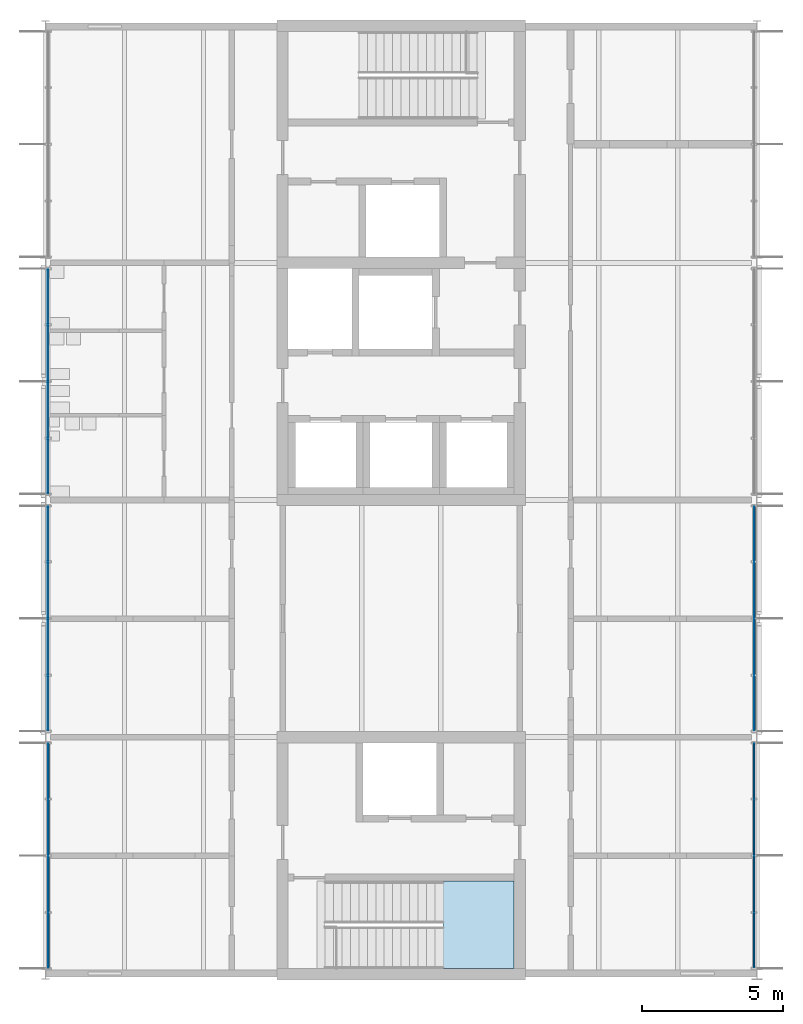
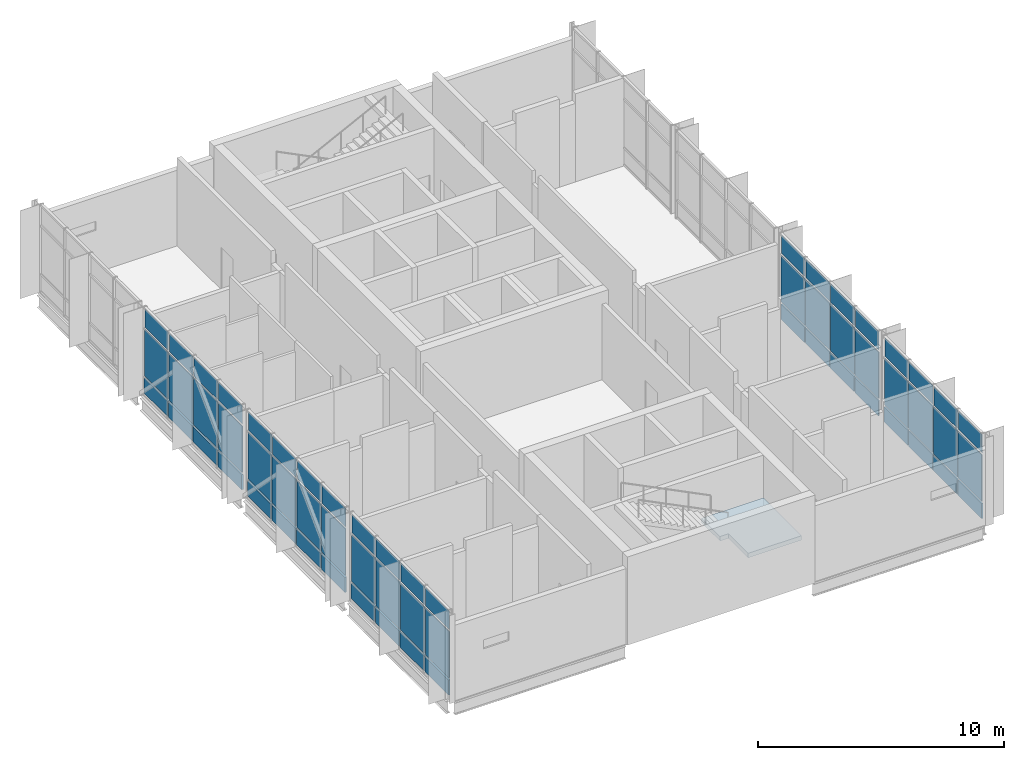
# One storey, part 6 of 15: 60 plates, 1 slab, 6 elements without a shape of their own.
"""IFC4 building model written with IfcOpenShell, lengths in metres."""

from ifc_helpers import new_model, si_unit, direction, frame, origin, origin_2d, place, context, subcontext, project, spatial, polyline, rectangle, outline, extrude, material, layer, layer_set, type_object, element, aggregate, save


model = new_model("IFC4")

# Units and contexts
model_context = context("Model", 3, precision=1e-05, world=origin(), true_north=direction((0.0, 1.0)))
body_context = subcontext(model_context, "Body", "Model", "MODEL_VIEW")
ifc_project = project(units=[si_unit("LENGTHUNIT", "METRE"), si_unit("AREAUNIT", "SQUARE_METRE"), si_unit("VOLUMEUNIT", "CUBIC_METRE"), si_unit("PLANEANGLEUNIT", "RADIAN"), si_unit("MASSUNIT", "GRAM", prefix="KILO")], contexts=[model_context])

# Site, building, storey
site_placement = place(None, origin())
site = spatial("IfcSite", under=ifc_project, at=site_placement, CompositionType="ELEMENT")
building_placement = place(site_placement, origin())
building = spatial("IfcBuilding", under=site, at=building_placement, Name="Hlaing Beacon Police Headquarters", CompositionType="ELEMENT")
storey_placement = place(building_placement, frame((0.0, 0.0, 32.39990234375)))
storey = spatial("IfcBuildingStorey", under=building, at=storey_placement, Name="L07", CompositionType="ELEMENT", Elevation=32.39990234375)

# Curtain wall, plates
ifc_material_1 = material(Name="Aluminium frame with solar control glazing", Category="aluminium")
curtain_wall_type = type_object("IfcCurtainWallType", Name="Unitised curtain wall 8.04 x 4.37", PredefinedType="NOTDEFINED", material=ifc_material_1)
curtain_wall_1_placement = place(storey_placement, origin())
curtain_wall_1 = element("IfcCurtainWall", 1, at=curtain_wall_1_placement, inside=storey, type_object=curtain_wall_type, Name="ENV-CW-L07-E001", PredefinedType="NOTDEFINED")
ifc_material_2 = material(Name="Solar control glazing", Category="glass")
ifc_layer_1 = layer(ifc_material_2, 0.0439453125)
ifc_layer_set_1 = layer_set([ifc_layer_1], Name="Solar control glazing")
plate_type_1 = type_object("IfcPlateType", Name="Clear glazing panel 44", PredefinedType="CURTAIN_PANEL", material=ifc_layer_set_1)
plate_1_placement = place(storey_placement, frame((125.89990234375, 36.797607421875, 0.9501953125), z_axis=(0.0, 0.0, 1.0), x_axis=(0.0, 1.0, 0.0)))
plate_1 = element("IfcPlate", 2, at=plate_1_placement, type_object=plate_type_1, Name="CW-L07-E001 panel 2.2", PredefinedType="CURTAIN_PANEL", context=body_context, shape_type="SweptSolid", body=[
    extrude(rectangle(XDim=1.948974609375, YDim=0.0439453125, at=origin_2d()), origin(), (0.0, 0.0, 1.0), 2.300048828125),
])
plate_2_placement = place(storey_placement, frame((125.89990234375, 40.80029296875, 0.9501953125), z_axis=(0.0, 0.0, 1.0), x_axis=(0.0, 1.0, 0.0)))
plate_2 = element("IfcPlate", 3, at=plate_2_placement, type_object=plate_type_1, Name="CW-L07-E001 panel 4.2", PredefinedType="CURTAIN_PANEL", context=body_context, shape_type="SweptSolid", body=[
    extrude(rectangle(XDim=1.9189453125, YDim=0.0439453125, at=origin_2d()), origin(), (0.0, 0.0, 1.0), 2.300048828125),
])

curtain_wall_2_placement = place(storey_placement, origin())
curtain_wall_2 = element("IfcCurtainWall", 4, at=curtain_wall_2_placement, inside=storey, type_object=curtain_wall_type, Name="ENV-CW-L07-E002", PredefinedType="NOTDEFINED")
plate_3_placement = place(storey_placement, frame((125.909912109375, 45.195068359375, 0.9501953125), z_axis=(0.0, 0.0, 1.0), x_axis=(0.0, 1.0, 0.0)))
plate_3 = element("IfcPlate", 5, at=plate_3_placement, type_object=plate_type_1, Name="CW-L07-E002 panel 2.2", PredefinedType="CURTAIN_PANEL", context=body_context, shape_type="SweptSolid", body=[
    extrude(rectangle(XDim=1.949951171875, YDim=0.0439453125, at=origin_2d()), origin(), (0.0, 0.0, 1.0), 2.300048828125),
])
plate_4_placement = place(storey_placement, frame((125.909912109375, 49.19970703125, 0.9501953125), z_axis=(0.0, 0.0, 1.0), x_axis=(0.0, 1.0, 0.0)))
plate_4 = element("IfcPlate", 6, at=plate_4_placement, type_object=plate_type_1, Name="CW-L07-E002 panel 4.2", PredefinedType="CURTAIN_PANEL", context=body_context, shape_type="SweptSolid", body=[
    extrude(rectangle(XDim=1.919921875, YDim=0.0439453125, at=origin_2d()), origin(), (0.0, 0.0, 1.0), 2.300048828125),
])

curtain_wall_3_placement = place(storey_placement, origin())
curtain_wall_3 = element("IfcCurtainWall", 7, at=curtain_wall_3_placement, inside=storey, type_object=curtain_wall_type, Name="ENV-CW-L07-W006", PredefinedType="NOTDEFINED")
plate_5_placement = place(storey_placement, frame((100.889892578125, 55.60498046875, 0.9501953125), z_axis=(0.0, 0.0, 1.0), x_axis=(0.0, -1.0, 0.0)))
plate_5 = element("IfcPlate", 8, at=plate_5_placement, type_object=plate_type_1, Name="CW-L07-W006 panel 2.2", PredefinedType="CURTAIN_PANEL", context=body_context, shape_type="SweptSolid", body=[
    extrude(rectangle(XDim=1.949951171875, YDim=0.0439453125, at=origin_2d()), origin(), (0.0, 0.0, 1.0), 2.300048828125),
])
plate_6_placement = place(storey_placement, frame((100.889892578125, 51.600341796875, 0.9501953125), z_axis=(0.0, 0.0, 1.0), x_axis=(0.0, -1.0, 0.0)))
plate_6 = element("IfcPlate", 9, at=plate_6_placement, type_object=plate_type_1, Name="CW-L07-W006 panel 4.2", PredefinedType="CURTAIN_PANEL", context=body_context, shape_type="SweptSolid", body=[
    extrude(rectangle(XDim=1.919921875, YDim=0.0439453125, at=origin_2d()), origin(), (0.0, 0.0, 1.0), 2.300048828125),
])

curtain_wall_4_placement = place(storey_placement, origin())
curtain_wall_4 = element("IfcCurtainWall", 10, at=curtain_wall_4_placement, inside=storey, type_object=curtain_wall_type, Name="ENV-CW-L07-W007", PredefinedType="NOTDEFINED")
plate_7_placement = place(storey_placement, frame((100.889892578125, 47.204833984375, 0.9501953125), z_axis=(0.0, 0.0, 1.0), x_axis=(0.0, -1.0, 0.0)))
plate_7 = element("IfcPlate", 11, at=plate_7_placement, type_object=plate_type_1, Name="CW-L07-W007 panel 2.2", PredefinedType="CURTAIN_PANEL", context=body_context, shape_type="SweptSolid", body=[
    extrude(rectangle(XDim=1.949951171875, YDim=0.0439453125, at=origin_2d()), origin(), (0.0, 0.0, 1.0), 2.300048828125),
])
plate_8_placement = place(storey_placement, frame((100.889892578125, 43.2001953125, 0.9501953125), z_axis=(0.0, 0.0, 1.0), x_axis=(0.0, -1.0, 0.0)))
plate_8 = element("IfcPlate", 12, at=plate_8_placement, type_object=plate_type_1, Name="CW-L07-W007 panel 4.2", PredefinedType="CURTAIN_PANEL", context=body_context, shape_type="SweptSolid", body=[
    extrude(rectangle(XDim=1.919921875, YDim=0.0439453125, at=origin_2d()), origin(), (0.0, 0.0, 1.0), 2.300048828125),
])

curtain_wall_5_placement = place(storey_placement, origin())
curtain_wall_5 = element("IfcCurtainWall", 13, at=curtain_wall_5_placement, inside=storey, type_object=curtain_wall_type, Name="ENV-CW-L07-W008", PredefinedType="NOTDEFINED")
plate_9_placement = place(storey_placement, frame((100.89990234375, 38.804931640625, 0.9501953125), z_axis=(0.0, 0.0, 1.0), x_axis=(0.0, -1.0, 0.0)))
plate_9 = element("IfcPlate", 14, at=plate_9_placement, type_object=plate_type_1, Name="CW-L07-W008 panel 2.2", PredefinedType="CURTAIN_PANEL", context=body_context, shape_type="SweptSolid", body=[
    extrude(rectangle(XDim=1.949951171875, YDim=0.0439453125, at=origin_2d()), origin(), (0.0, 0.0, 1.0), 2.300048828125),
])
plate_10_placement = place(storey_placement, frame((100.89990234375, 34.80029296875, 0.9501953125), z_axis=(0.0, 0.0, 1.0), x_axis=(0.0, -1.0, 0.0)))
plate_10 = element("IfcPlate", 15, at=plate_10_placement, type_object=plate_type_1, Name="CW-L07-W008 panel 4.2", PredefinedType="CURTAIN_PANEL", context=body_context, shape_type="SweptSolid", body=[
    extrude(rectangle(XDim=1.919921875, YDim=0.0439453125, at=origin_2d()), origin(), (0.0, 0.0, 1.0), 2.300048828125),
])

# Plate
ifc_material_3 = material(Name="Fritted solar control glazing", Category="glass")
ifc_layer_2 = layer(ifc_material_3, 0.0439453125)
ifc_layer_set_2 = layer_set([ifc_layer_2], Name="Fritted solar control glazing")
plate_type_2 = type_object("IfcPlateType", Name="Fritted glazing panel 44", PredefinedType="CURTAIN_PANEL", material=ifc_layer_set_2)
plate_11_placement = place(storey_placement, frame((125.89990234375, 34.8037109375, 0.9501953125), z_axis=(0.0, 0.0, 1.0), x_axis=(0.0, 1.0, 0.0)))
plate_11 = element("IfcPlate", 16, at=plate_11_placement, type_object=plate_type_2, Name="CW-L07-E001 panel 1.2", PredefinedType="CURTAIN_PANEL", context=body_context, shape_type="SweptSolid", body=[
    extrude(rectangle(XDim=1.9189453125, YDim=0.0439453125, at=origin_2d()), origin(), (0.0, 0.0, 1.0), 2.300048828125),
])

plate_12_placement = place(storey_placement, frame((125.89990234375, 38.806396484375, 0.9501953125), z_axis=(0.0, 0.0, 1.0), x_axis=(0.0, 1.0, 0.0)))
plate_12 = element("IfcPlate", 17, at=plate_12_placement, type_object=plate_type_2, Name="CW-L07-E001 panel 3.2", PredefinedType="CURTAIN_PANEL", context=body_context, shape_type="SweptSolid", body=[
    extrude(rectangle(XDim=1.948974609375, YDim=0.0439453125, at=origin_2d()), origin(), (0.0, 0.0, 1.0), 2.300048828125),
])

plate_13_placement = place(storey_placement, frame((125.909912109375, 43.2001953125, 0.9501953125), z_axis=(0.0, 0.0, 1.0), x_axis=(0.0, 1.0, 0.0)))
plate_13 = element("IfcPlate", 18, at=plate_13_placement, type_object=plate_type_2, Name="CW-L07-E002 panel 1.2", PredefinedType="CURTAIN_PANEL", context=body_context, shape_type="SweptSolid", body=[
    extrude(rectangle(XDim=1.919921875, YDim=0.0439453125, at=origin_2d()), origin(), (0.0, 0.0, 1.0), 2.300048828125),
])

plate_14_placement = place(storey_placement, frame((125.909912109375, 47.204833984375, 0.9501953125), z_axis=(0.0, 0.0, 1.0), x_axis=(0.0, 1.0, 0.0)))
plate_14 = element("IfcPlate", 19, at=plate_14_placement, type_object=plate_type_2, Name="CW-L07-E002 panel 3.2", PredefinedType="CURTAIN_PANEL", context=body_context, shape_type="SweptSolid", body=[
    extrude(rectangle(XDim=1.949951171875, YDim=0.0439453125, at=origin_2d()), origin(), (0.0, 0.0, 1.0), 2.300048828125),
])

plate_15_placement = place(storey_placement, frame((100.889892578125, 57.599853515625, 0.9501953125), z_axis=(0.0, 0.0, 1.0), x_axis=(0.0, -1.0, 0.0)))
plate_15 = element("IfcPlate", 20, at=plate_15_placement, type_object=plate_type_2, Name="CW-L07-W006 panel 1.2", PredefinedType="CURTAIN_PANEL", context=body_context, shape_type="SweptSolid", body=[
    extrude(rectangle(XDim=1.919921875, YDim=0.0439453125, at=origin_2d()), origin(), (0.0, 0.0, 1.0), 2.300048828125),
])

plate_16_placement = place(storey_placement, frame((100.889892578125, 53.594970703125, 0.9501953125), z_axis=(0.0, 0.0, 1.0), x_axis=(0.0, -1.0, 0.0)))
plate_16 = element("IfcPlate", 21, at=plate_16_placement, type_object=plate_type_2, Name="CW-L07-W006 panel 3.2", PredefinedType="CURTAIN_PANEL", context=body_context, shape_type="SweptSolid", body=[
    extrude(rectangle(XDim=1.949951171875, YDim=0.0439453125, at=origin_2d()), origin(), (0.0, 0.0, 1.0), 2.300048828125),
])

plate_17_placement = place(storey_placement, frame((100.889892578125, 49.19970703125, 0.9501953125), z_axis=(0.0, 0.0, 1.0), x_axis=(0.0, -1.0, 0.0)))
plate_17 = element("IfcPlate", 22, at=plate_17_placement, type_object=plate_type_2, Name="CW-L07-W007 panel 1.2", PredefinedType="CURTAIN_PANEL", context=body_context, shape_type="SweptSolid", body=[
    extrude(rectangle(XDim=1.919921875, YDim=0.0439453125, at=origin_2d()), origin(), (0.0, 0.0, 1.0), 2.300048828125),
])

plate_18_placement = place(storey_placement, frame((100.889892578125, 45.195068359375, 0.9501953125), z_axis=(0.0, 0.0, 1.0), x_axis=(0.0, -1.0, 0.0)))
plate_18 = element("IfcPlate", 23, at=plate_18_placement, type_object=plate_type_2, Name="CW-L07-W007 panel 3.2", PredefinedType="CURTAIN_PANEL", context=body_context, shape_type="SweptSolid", body=[
    extrude(rectangle(XDim=1.949951171875, YDim=0.0439453125, at=origin_2d()), origin(), (0.0, 0.0, 1.0), 2.300048828125),
])

plate_19_placement = place(storey_placement, frame((100.89990234375, 40.7998046875, 0.9501953125), z_axis=(0.0, 0.0, 1.0), x_axis=(0.0, -1.0, 0.0)))
plate_19 = element("IfcPlate", 24, at=plate_19_placement, type_object=plate_type_2, Name="CW-L07-W008 panel 1.2", PredefinedType="CURTAIN_PANEL", context=body_context, shape_type="SweptSolid", body=[
    extrude(rectangle(XDim=1.919921875, YDim=0.0439453125, at=origin_2d()), origin(), (0.0, 0.0, 1.0), 2.300048828125),
])

plate_20_placement = place(storey_placement, frame((100.89990234375, 36.795166015625, 0.9501953125), z_axis=(0.0, 0.0, 1.0), x_axis=(0.0, -1.0, 0.0)))
plate_20 = element("IfcPlate", 25, at=plate_20_placement, type_object=plate_type_2, Name="CW-L07-W008 panel 3.2", PredefinedType="CURTAIN_PANEL", context=body_context, shape_type="SweptSolid", body=[
    extrude(rectangle(XDim=1.949951171875, YDim=0.0439453125, at=origin_2d()), origin(), (0.0, 0.0, 1.0), 2.300048828125),
])

ifc_material_4 = material(Name="Insulated aluminium spandrel", Category="aluminium")
ifc_layer_3 = layer(ifc_material_4, 0.06005859375)
ifc_layer_set_3 = layer_set([ifc_layer_3], Name="Insulated aluminium spandrel")
plate_type_3 = type_object("IfcPlateType", Name="Insulated spandrel panel 60", PredefinedType="CURTAIN_PANEL", material=ifc_layer_set_3)
plate_21_placement = place(storey_placement, frame((125.89990234375, 34.8037109375, 0.10009765625), z_axis=(0.0, 0.0, 1.0), x_axis=(0.0, 1.0, 0.0)))
plate_21 = element("IfcPlate", 26, at=plate_21_placement, type_object=plate_type_3, Name="CW-L07-E001 panel 1.1", PredefinedType="CURTAIN_PANEL", context=body_context, shape_type="SweptSolid", body=[
    extrude(rectangle(XDim=1.9189453125, YDim=0.06005859375, at=origin_2d()), origin(), (0.0, 0.0, 1.0), 0.75),
])

plate_22_placement = place(storey_placement, frame((125.89990234375, 36.797607421875, 0.10009765625), z_axis=(0.0, 0.0, 1.0), x_axis=(0.0, 1.0, 0.0)))
plate_22 = element("IfcPlate", 27, at=plate_22_placement, type_object=plate_type_3, Name="CW-L07-E001 panel 2.1", PredefinedType="CURTAIN_PANEL", context=body_context, shape_type="SweptSolid", body=[
    extrude(rectangle(XDim=1.948974609375, YDim=0.06005859375, at=origin_2d()), origin(), (0.0, 0.0, 1.0), 0.75),
])

plate_23_placement = place(storey_placement, frame((125.89990234375, 38.806396484375, 0.10009765625), z_axis=(0.0, 0.0, 1.0), x_axis=(0.0, 1.0, 0.0)))
plate_23 = element("IfcPlate", 28, at=plate_23_placement, type_object=plate_type_3, Name="CW-L07-E001 panel 3.1", PredefinedType="CURTAIN_PANEL", context=body_context, shape_type="SweptSolid", body=[
    extrude(rectangle(XDim=1.948974609375, YDim=0.06005859375, at=origin_2d()), origin(), (0.0, 0.0, 1.0), 0.75),
])

plate_24_placement = place(storey_placement, frame((125.89990234375, 40.80029296875, 0.10009765625), z_axis=(0.0, 0.0, 1.0), x_axis=(0.0, 1.0, 0.0)))
plate_24 = element("IfcPlate", 29, at=plate_24_placement, type_object=plate_type_3, Name="CW-L07-E001 panel 4.1", PredefinedType="CURTAIN_PANEL", context=body_context, shape_type="SweptSolid", body=[
    extrude(rectangle(XDim=1.9189453125, YDim=0.06005859375, at=origin_2d()), origin(), (0.0, 0.0, 1.0), 0.75),
])

plate_25_placement = place(storey_placement, frame((125.909912109375, 43.2001953125, 0.10009765625), z_axis=(0.0, 0.0, 1.0), x_axis=(0.0, 1.0, 0.0)))
plate_25 = element("IfcPlate", 30, at=plate_25_placement, type_object=plate_type_3, Name="CW-L07-E002 panel 1.1", PredefinedType="CURTAIN_PANEL", context=body_context, shape_type="SweptSolid", body=[
    extrude(rectangle(XDim=1.919921875, YDim=0.06005859375, at=origin_2d()), origin(), (0.0, 0.0, 1.0), 0.75),
])

plate_26_placement = place(storey_placement, frame((125.909912109375, 45.195068359375, 0.10009765625), z_axis=(0.0, 0.0, 1.0), x_axis=(0.0, 1.0, 0.0)))
plate_26 = element("IfcPlate", 31, at=plate_26_placement, type_object=plate_type_3, Name="CW-L07-E002 panel 2.1", PredefinedType="CURTAIN_PANEL", context=body_context, shape_type="SweptSolid", body=[
    extrude(rectangle(XDim=1.949951171875, YDim=0.06005859375, at=origin_2d()), origin(), (0.0, 0.0, 1.0), 0.75),
])

plate_27_placement = place(storey_placement, frame((125.909912109375, 47.204833984375, 0.10009765625), z_axis=(0.0, 0.0, 1.0), x_axis=(0.0, 1.0, 0.0)))
plate_27 = element("IfcPlate", 32, at=plate_27_placement, type_object=plate_type_3, Name="CW-L07-E002 panel 3.1", PredefinedType="CURTAIN_PANEL", context=body_context, shape_type="SweptSolid", body=[
    extrude(rectangle(XDim=1.949951171875, YDim=0.06005859375, at=origin_2d()), origin(), (0.0, 0.0, 1.0), 0.75),
])

plate_28_placement = place(storey_placement, frame((125.909912109375, 49.19970703125, 0.10009765625), z_axis=(0.0, 0.0, 1.0), x_axis=(0.0, 1.0, 0.0)))
plate_28 = element("IfcPlate", 33, at=plate_28_placement, type_object=plate_type_3, Name="CW-L07-E002 panel 4.1", PredefinedType="CURTAIN_PANEL", context=body_context, shape_type="SweptSolid", body=[
    extrude(rectangle(XDim=1.919921875, YDim=0.06005859375, at=origin_2d()), origin(), (0.0, 0.0, 1.0), 0.75),
])

ifc_material_5 = material(Name="Insulated aluminium spandrel", Category="aluminium")
ifc_layer_4 = layer(ifc_material_5, 0.080078125)
ifc_layer_set_4 = layer_set([ifc_layer_4], Name="Insulated aluminium spandrel")
plate_type_4 = type_object("IfcPlateType", Name="Insulated spandrel panel 80", PredefinedType="CURTAIN_PANEL", material=ifc_layer_set_4)
plate_29_placement = place(storey_placement, frame((100.889892578125, 57.599853515625, 0.10009765625), z_axis=(0.0, 0.0, 1.0), x_axis=(0.0, -1.0, 0.0)))
plate_29 = element("IfcPlate", 34, at=plate_29_placement, type_object=plate_type_4, Name="CW-L07-W006 panel 1.1", PredefinedType="CURTAIN_PANEL", context=body_context, shape_type="SweptSolid", body=[
    extrude(rectangle(XDim=1.919921875, YDim=0.080078125, at=origin_2d()), origin(), (0.0, 0.0, 1.0), 0.75),
])

plate_30_placement = place(storey_placement, frame((100.889892578125, 55.60498046875, 0.10009765625), z_axis=(0.0, 0.0, 1.0), x_axis=(0.0, -1.0, 0.0)))
plate_30 = element("IfcPlate", 35, at=plate_30_placement, type_object=plate_type_4, Name="CW-L07-W006 panel 2.1", PredefinedType="CURTAIN_PANEL", context=body_context, shape_type="SweptSolid", body=[
    extrude(rectangle(XDim=1.949951171875, YDim=0.080078125, at=origin_2d()), origin(), (0.0, 0.0, 1.0), 0.75),
])

plate_31_placement = place(storey_placement, frame((100.889892578125, 53.594970703125, 0.10009765625), z_axis=(0.0, 0.0, 1.0), x_axis=(0.0, -1.0, 0.0)))
plate_31 = element("IfcPlate", 36, at=plate_31_placement, type_object=plate_type_4, Name="CW-L07-W006 panel 3.1", PredefinedType="CURTAIN_PANEL", context=body_context, shape_type="SweptSolid", body=[
    extrude(rectangle(XDim=1.949951171875, YDim=0.080078125, at=origin_2d()), origin(), (0.0, 0.0, 1.0), 0.75),
])

plate_32_placement = place(storey_placement, frame((100.889892578125, 51.600341796875, 0.10009765625), z_axis=(0.0, 0.0, 1.0), x_axis=(0.0, -1.0, 0.0)))
plate_32 = element("IfcPlate", 37, at=plate_32_placement, type_object=plate_type_4, Name="CW-L07-W006 panel 4.1", PredefinedType="CURTAIN_PANEL", context=body_context, shape_type="SweptSolid", body=[
    extrude(rectangle(XDim=1.919921875, YDim=0.080078125, at=origin_2d()), origin(), (0.0, 0.0, 1.0), 0.75),
])

plate_33_placement = place(storey_placement, frame((100.889892578125, 49.19970703125, 0.10009765625), z_axis=(0.0, 0.0, 1.0), x_axis=(0.0, -1.0, 0.0)))
plate_33 = element("IfcPlate", 38, at=plate_33_placement, type_object=plate_type_4, Name="CW-L07-W007 panel 1.1", PredefinedType="CURTAIN_PANEL", context=body_context, shape_type="SweptSolid", body=[
    extrude(rectangle(XDim=1.919921875, YDim=0.080078125, at=origin_2d()), origin(), (0.0, 0.0, 1.0), 0.75),
])

plate_34_placement = place(storey_placement, frame((100.889892578125, 47.204833984375, 0.10009765625), z_axis=(0.0, 0.0, 1.0), x_axis=(0.0, -1.0, 0.0)))
plate_34 = element("IfcPlate", 39, at=plate_34_placement, type_object=plate_type_4, Name="CW-L07-W007 panel 2.1", PredefinedType="CURTAIN_PANEL", context=body_context, shape_type="SweptSolid", body=[
    extrude(rectangle(XDim=1.949951171875, YDim=0.080078125, at=origin_2d()), origin(), (0.0, 0.0, 1.0), 0.75),
])

plate_35_placement = place(storey_placement, frame((100.889892578125, 45.195068359375, 0.10009765625), z_axis=(0.0, 0.0, 1.0), x_axis=(0.0, -1.0, 0.0)))
plate_35 = element("IfcPlate", 40, at=plate_35_placement, type_object=plate_type_4, Name="CW-L07-W007 panel 3.1", PredefinedType="CURTAIN_PANEL", context=body_context, shape_type="SweptSolid", body=[
    extrude(rectangle(XDim=1.949951171875, YDim=0.080078125, at=origin_2d()), origin(), (0.0, 0.0, 1.0), 0.75),
])

plate_36_placement = place(storey_placement, frame((100.889892578125, 43.2001953125, 0.10009765625), z_axis=(0.0, 0.0, 1.0), x_axis=(0.0, -1.0, 0.0)))
plate_36 = element("IfcPlate", 41, at=plate_36_placement, type_object=plate_type_4, Name="CW-L07-W007 panel 4.1", PredefinedType="CURTAIN_PANEL", context=body_context, shape_type="SweptSolid", body=[
    extrude(rectangle(XDim=1.919921875, YDim=0.080078125, at=origin_2d()), origin(), (0.0, 0.0, 1.0), 0.75),
])

plate_37_placement = place(storey_placement, frame((100.89990234375, 40.7998046875, 0.10009765625), z_axis=(0.0, 0.0, 1.0), x_axis=(0.0, -1.0, 0.0)))
plate_37 = element("IfcPlate", 42, at=plate_37_placement, type_object=plate_type_4, Name="CW-L07-W008 panel 1.1", PredefinedType="CURTAIN_PANEL", context=body_context, shape_type="SweptSolid", body=[
    extrude(rectangle(XDim=1.919921875, YDim=0.080078125, at=origin_2d()), origin(), (0.0, 0.0, 1.0), 0.75),
])

plate_38_placement = place(storey_placement, frame((100.89990234375, 38.804931640625, 0.10009765625), z_axis=(0.0, 0.0, 1.0), x_axis=(0.0, -1.0, 0.0)))
plate_38 = element("IfcPlate", 43, at=plate_38_placement, type_object=plate_type_4, Name="CW-L07-W008 panel 2.1", PredefinedType="CURTAIN_PANEL", context=body_context, shape_type="SweptSolid", body=[
    extrude(rectangle(XDim=1.949951171875, YDim=0.080078125, at=origin_2d()), origin(), (0.0, 0.0, 1.0), 0.75),
])

plate_39_placement = place(storey_placement, frame((100.89990234375, 36.795166015625, 0.10009765625), z_axis=(0.0, 0.0, 1.0), x_axis=(0.0, -1.0, 0.0)))
plate_39 = element("IfcPlate", 44, at=plate_39_placement, type_object=plate_type_4, Name="CW-L07-W008 panel 3.1", PredefinedType="CURTAIN_PANEL", context=body_context, shape_type="SweptSolid", body=[
    extrude(rectangle(XDim=1.949951171875, YDim=0.080078125, at=origin_2d()), origin(), (0.0, 0.0, 1.0), 0.75),
])

plate_40_placement = place(storey_placement, frame((100.89990234375, 34.80029296875, 0.10009765625), z_axis=(0.0, 0.0, 1.0), x_axis=(0.0, -1.0, 0.0)))
plate_40 = element("IfcPlate", 45, at=plate_40_placement, type_object=plate_type_4, Name="CW-L07-W008 panel 4.1", PredefinedType="CURTAIN_PANEL", context=body_context, shape_type="SweptSolid", body=[
    extrude(rectangle(XDim=1.919921875, YDim=0.080078125, at=origin_2d()), origin(), (0.0, 0.0, 1.0), 0.75),
])

ifc_material_6 = material(Name="Perforated aluminium", Category="aluminium")
ifc_layer_5 = layer(ifc_material_6, 0.00390625)
ifc_layer_set_5 = layer_set([ifc_layer_5], Name="Perforated aluminium")
plate_type_5 = type_object("IfcPlateType", Name="Perforated aluminium vent panel 4", PredefinedType="CURTAIN_PANEL", material=ifc_layer_set_5)
plate_41_placement = place(storey_placement, frame((125.89990234375, 34.8037109375, 3.35009765625), z_axis=(0.0, 0.0, 1.0), x_axis=(0.0, 1.0, 0.0)))
plate_41 = element("IfcPlate", 46, at=plate_41_placement, type_object=plate_type_5, Name="CW-L07-E001 panel 1.3", PredefinedType="CURTAIN_PANEL", context=body_context, shape_type="SweptSolid", body=[
    extrude(rectangle(XDim=1.9189453125, YDim=0.00390625, at=origin_2d()), origin(), (0.0, 0.0, 1.0), 0.919921875),
])

plate_42_placement = place(storey_placement, frame((125.89990234375, 36.797607421875, 3.35009765625), z_axis=(0.0, 0.0, 1.0), x_axis=(0.0, 1.0, 0.0)))
plate_42 = element("IfcPlate", 47, at=plate_42_placement, type_object=plate_type_5, Name="CW-L07-E001 panel 2.3", PredefinedType="CURTAIN_PANEL", context=body_context, shape_type="SweptSolid", body=[
    extrude(rectangle(XDim=1.948974609375, YDim=0.00390625, at=origin_2d()), origin(), (0.0, 0.0, 1.0), 0.919921875),
])

plate_43_placement = place(storey_placement, frame((125.89990234375, 38.806396484375, 3.35009765625), z_axis=(0.0, 0.0, 1.0), x_axis=(0.0, 1.0, 0.0)))
plate_43 = element("IfcPlate", 48, at=plate_43_placement, type_object=plate_type_5, Name="CW-L07-E001 panel 3.3", PredefinedType="CURTAIN_PANEL", context=body_context, shape_type="SweptSolid", body=[
    extrude(rectangle(XDim=1.948974609375, YDim=0.00390625, at=origin_2d()), origin(), (0.0, 0.0, 1.0), 0.919921875),
])

plate_44_placement = place(storey_placement, frame((125.89990234375, 40.80029296875, 3.35009765625), z_axis=(0.0, 0.0, 1.0), x_axis=(0.0, 1.0, 0.0)))
plate_44 = element("IfcPlate", 49, at=plate_44_placement, type_object=plate_type_5, Name="CW-L07-E001 panel 4.3", PredefinedType="CURTAIN_PANEL", context=body_context, shape_type="SweptSolid", body=[
    extrude(rectangle(XDim=1.9189453125, YDim=0.00390625, at=origin_2d()), origin(), (0.0, 0.0, 1.0), 0.919921875),
])

aggregate(curtain_wall_1, [plate_21, plate_11, plate_41, plate_22, plate_1, plate_42, plate_23, plate_12, plate_43, plate_24, plate_2, plate_44])

plate_45_placement = place(storey_placement, frame((125.909912109375, 43.2001953125, 3.35009765625), z_axis=(0.0, 0.0, 1.0), x_axis=(0.0, 1.0, 0.0)))
plate_45 = element("IfcPlate", 50, at=plate_45_placement, type_object=plate_type_5, Name="CW-L07-E002 panel 1.3", PredefinedType="CURTAIN_PANEL", context=body_context, shape_type="SweptSolid", body=[
    extrude(rectangle(XDim=1.919921875, YDim=0.00390625, at=origin_2d()), origin(), (0.0, 0.0, 1.0), 0.919921875),
])

plate_46_placement = place(storey_placement, frame((125.909912109375, 45.195068359375, 3.35009765625), z_axis=(0.0, 0.0, 1.0), x_axis=(0.0, 1.0, 0.0)))
plate_46 = element("IfcPlate", 51, at=plate_46_placement, type_object=plate_type_5, Name="CW-L07-E002 panel 2.3", PredefinedType="CURTAIN_PANEL", context=body_context, shape_type="SweptSolid", body=[
    extrude(rectangle(XDim=1.949951171875, YDim=0.00390625, at=origin_2d()), origin(), (0.0, 0.0, 1.0), 0.919921875),
])

plate_47_placement = place(storey_placement, frame((125.909912109375, 47.204833984375, 3.35009765625), z_axis=(0.0, 0.0, 1.0), x_axis=(0.0, 1.0, 0.0)))
plate_47 = element("IfcPlate", 52, at=plate_47_placement, type_object=plate_type_5, Name="CW-L07-E002 panel 3.3", PredefinedType="CURTAIN_PANEL", context=body_context, shape_type="SweptSolid", body=[
    extrude(rectangle(XDim=1.949951171875, YDim=0.00390625, at=origin_2d()), origin(), (0.0, 0.0, 1.0), 0.919921875),
])

plate_48_placement = place(storey_placement, frame((125.909912109375, 49.19970703125, 3.35009765625), z_axis=(0.0, 0.0, 1.0), x_axis=(0.0, 1.0, 0.0)))
plate_48 = element("IfcPlate", 53, at=plate_48_placement, type_object=plate_type_5, Name="CW-L07-E002 panel 4.3", PredefinedType="CURTAIN_PANEL", context=body_context, shape_type="SweptSolid", body=[
    extrude(rectangle(XDim=1.919921875, YDim=0.00390625, at=origin_2d()), origin(), (0.0, 0.0, 1.0), 0.919921875),
])

aggregate(curtain_wall_2, [plate_25, plate_13, plate_45, plate_26, plate_3, plate_46, plate_27, plate_14, plate_47, plate_28, plate_4, plate_48])

plate_49_placement = place(storey_placement, frame((100.889892578125, 57.599853515625, 3.35009765625), z_axis=(0.0, 0.0, 1.0), x_axis=(0.0, -1.0, 0.0)))
plate_49 = element("IfcPlate", 54, at=plate_49_placement, type_object=plate_type_5, Name="CW-L07-W006 panel 1.3", PredefinedType="CURTAIN_PANEL", context=body_context, shape_type="SweptSolid", body=[
    extrude(rectangle(XDim=1.919921875, YDim=0.00390625, at=origin_2d()), origin(), (0.0, 0.0, 1.0), 0.919921875),
])

plate_50_placement = place(storey_placement, frame((100.889892578125, 55.60498046875, 3.35009765625), z_axis=(0.0, 0.0, 1.0), x_axis=(0.0, -1.0, 0.0)))
plate_50 = element("IfcPlate", 55, at=plate_50_placement, type_object=plate_type_5, Name="CW-L07-W006 panel 2.3", PredefinedType="CURTAIN_PANEL", context=body_context, shape_type="SweptSolid", body=[
    extrude(rectangle(XDim=1.949951171875, YDim=0.00390625, at=origin_2d()), origin(), (0.0, 0.0, 1.0), 0.919921875),
])

plate_51_placement = place(storey_placement, frame((100.889892578125, 53.594970703125, 3.35009765625), z_axis=(0.0, 0.0, 1.0), x_axis=(0.0, -1.0, 0.0)))
plate_51 = element("IfcPlate", 56, at=plate_51_placement, type_object=plate_type_5, Name="CW-L07-W006 panel 3.3", PredefinedType="CURTAIN_PANEL", context=body_context, shape_type="SweptSolid", body=[
    extrude(rectangle(XDim=1.949951171875, YDim=0.00390625, at=origin_2d()), origin(), (0.0, 0.0, 1.0), 0.919921875),
])

plate_52_placement = place(storey_placement, frame((100.889892578125, 51.600341796875, 3.35009765625), z_axis=(0.0, 0.0, 1.0), x_axis=(0.0, -1.0, 0.0)))
plate_52 = element("IfcPlate", 57, at=plate_52_placement, type_object=plate_type_5, Name="CW-L07-W006 panel 4.3", PredefinedType="CURTAIN_PANEL", context=body_context, shape_type="SweptSolid", body=[
    extrude(rectangle(XDim=1.919921875, YDim=0.00390625, at=origin_2d()), origin(), (0.0, 0.0, 1.0), 0.919921875),
])

aggregate(curtain_wall_3, [plate_29, plate_15, plate_49, plate_30, plate_5, plate_50, plate_31, plate_16, plate_51, plate_32, plate_6, plate_52])

plate_53_placement = place(storey_placement, frame((100.889892578125, 49.19970703125, 3.35009765625), z_axis=(0.0, 0.0, 1.0), x_axis=(0.0, -1.0, 0.0)))
plate_53 = element("IfcPlate", 58, at=plate_53_placement, type_object=plate_type_5, Name="CW-L07-W007 panel 1.3", PredefinedType="CURTAIN_PANEL", context=body_context, shape_type="SweptSolid", body=[
    extrude(rectangle(XDim=1.919921875, YDim=0.00390625, at=origin_2d()), origin(), (0.0, 0.0, 1.0), 0.919921875),
])

plate_54_placement = place(storey_placement, frame((100.889892578125, 47.204833984375, 3.35009765625), z_axis=(0.0, 0.0, 1.0), x_axis=(0.0, -1.0, 0.0)))
plate_54 = element("IfcPlate", 59, at=plate_54_placement, type_object=plate_type_5, Name="CW-L07-W007 panel 2.3", PredefinedType="CURTAIN_PANEL", context=body_context, shape_type="SweptSolid", body=[
    extrude(rectangle(XDim=1.949951171875, YDim=0.00390625, at=origin_2d()), origin(), (0.0, 0.0, 1.0), 0.919921875),
])

plate_55_placement = place(storey_placement, frame((100.889892578125, 45.195068359375, 3.35009765625), z_axis=(0.0, 0.0, 1.0), x_axis=(0.0, -1.0, 0.0)))
plate_55 = element("IfcPlate", 60, at=plate_55_placement, type_object=plate_type_5, Name="CW-L07-W007 panel 3.3", PredefinedType="CURTAIN_PANEL", context=body_context, shape_type="SweptSolid", body=[
    extrude(rectangle(XDim=1.949951171875, YDim=0.00390625, at=origin_2d()), origin(), (0.0, 0.0, 1.0), 0.919921875),
])

plate_56_placement = place(storey_placement, frame((100.889892578125, 43.2001953125, 3.35009765625), z_axis=(0.0, 0.0, 1.0), x_axis=(0.0, -1.0, 0.0)))
plate_56 = element("IfcPlate", 61, at=plate_56_placement, type_object=plate_type_5, Name="CW-L07-W007 panel 4.3", PredefinedType="CURTAIN_PANEL", context=body_context, shape_type="SweptSolid", body=[
    extrude(rectangle(XDim=1.919921875, YDim=0.00390625, at=origin_2d()), origin(), (0.0, 0.0, 1.0), 0.919921875),
])

aggregate(curtain_wall_4, [plate_33, plate_17, plate_53, plate_34, plate_7, plate_54, plate_35, plate_18, plate_55, plate_36, plate_8, plate_56])

plate_57_placement = place(storey_placement, frame((100.89990234375, 40.7998046875, 3.35009765625), z_axis=(0.0, 0.0, 1.0), x_axis=(0.0, -1.0, 0.0)))
plate_57 = element("IfcPlate", 62, at=plate_57_placement, type_object=plate_type_5, Name="CW-L07-W008 panel 1.3", PredefinedType="CURTAIN_PANEL", context=body_context, shape_type="SweptSolid", body=[
    extrude(rectangle(XDim=1.919921875, YDim=0.00390625, at=origin_2d()), origin(), (0.0, 0.0, 1.0), 0.919921875),
])

plate_58_placement = place(storey_placement, frame((100.89990234375, 38.804931640625, 3.35009765625), z_axis=(0.0, 0.0, 1.0), x_axis=(0.0, -1.0, 0.0)))
plate_58 = element("IfcPlate", 63, at=plate_58_placement, type_object=plate_type_5, Name="CW-L07-W008 panel 2.3", PredefinedType="CURTAIN_PANEL", context=body_context, shape_type="SweptSolid", body=[
    extrude(rectangle(XDim=1.949951171875, YDim=0.00390625, at=origin_2d()), origin(), (0.0, 0.0, 1.0), 0.919921875),
])

plate_59_placement = place(storey_placement, frame((100.89990234375, 36.795166015625, 3.35009765625), z_axis=(0.0, 0.0, 1.0), x_axis=(0.0, -1.0, 0.0)))
plate_59 = element("IfcPlate", 64, at=plate_59_placement, type_object=plate_type_5, Name="CW-L07-W008 panel 3.3", PredefinedType="CURTAIN_PANEL", context=body_context, shape_type="SweptSolid", body=[
    extrude(rectangle(XDim=1.949951171875, YDim=0.00390625, at=origin_2d()), origin(), (0.0, 0.0, 1.0), 0.919921875),
])

plate_60_placement = place(storey_placement, frame((100.89990234375, 34.80029296875, 3.35009765625), z_axis=(0.0, 0.0, 1.0), x_axis=(0.0, -1.0, 0.0)))
plate_60 = element("IfcPlate", 65, at=plate_60_placement, type_object=plate_type_5, Name="CW-L07-W008 panel 4.3", PredefinedType="CURTAIN_PANEL", context=body_context, shape_type="SweptSolid", body=[
    extrude(rectangle(XDim=1.919921875, YDim=0.00390625, at=origin_2d()), origin(), (0.0, 0.0, 1.0), 0.919921875),
])

aggregate(curtain_wall_5, [plate_37, plate_19, plate_57, plate_38, plate_9, plate_58, plate_39, plate_20, plate_59, plate_40, plate_10, plate_60])

# Stair, slab
ifc_material_7 = material(Name="Concrete C40/50", Category="concrete")
stair_type = type_object("IfcStairType", Name="Half-turn stair 1500 wide, 4500 rise", PredefinedType="HALF_TURN_STAIR", material=ifc_material_7)
stair_placement = place(storey_placement, origin())
stair = element("IfcStair", 66, at=stair_placement, inside=storey, type_object=stair_type, Name="Stair ST-L", PredefinedType="HALF_TURN_STAIR")
ifc_material_8 = material(Name="Concrete C40/50", Category="concrete")
ifc_layer_6 = layer(ifc_material_8, 0.219970703125)
ifc_layer_set_6 = layer_set([ifc_layer_6], Name="Concrete C40/50")
slab_type = type_object("IfcSlabType", Name="Stair landing 220", PredefinedType="LANDING", material=ifc_layer_set_6)
slab_placement = place(storey_placement, frame((0.0, 0.0, 2.030029296875)))
slab = element("IfcSlab", 67, at=slab_placement, type_object=slab_type, Name="ST-L landing 1", PredefinedType="LANDING", context=body_context, shape_type="SweptSolid", body=[
    extrude(outline(polyline([(114.889892578125, 33.800048828125), (117.39990234375, 33.800048828125), (117.39990234375, 36.89990234375), (114.5, 36.89990234375), (114.5, 35.39990234375), (114.889892578125, 35.39990234375), (114.889892578125, 33.800048828125)])), origin(), (0.0, 0.0, 1.0), 0.219970703125),
])
aggregate(stair, [slab])

save(model, "model.ifc")
